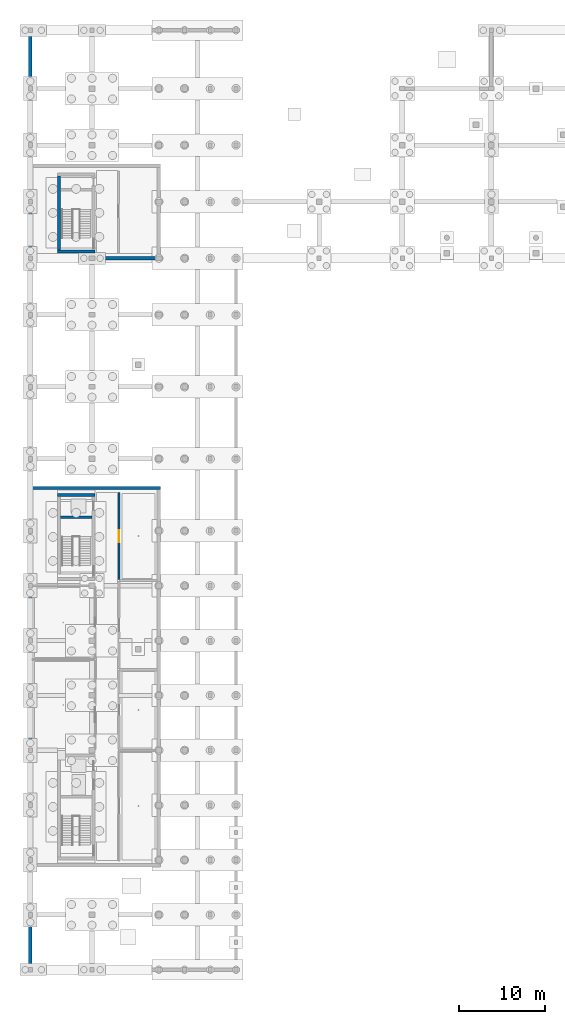
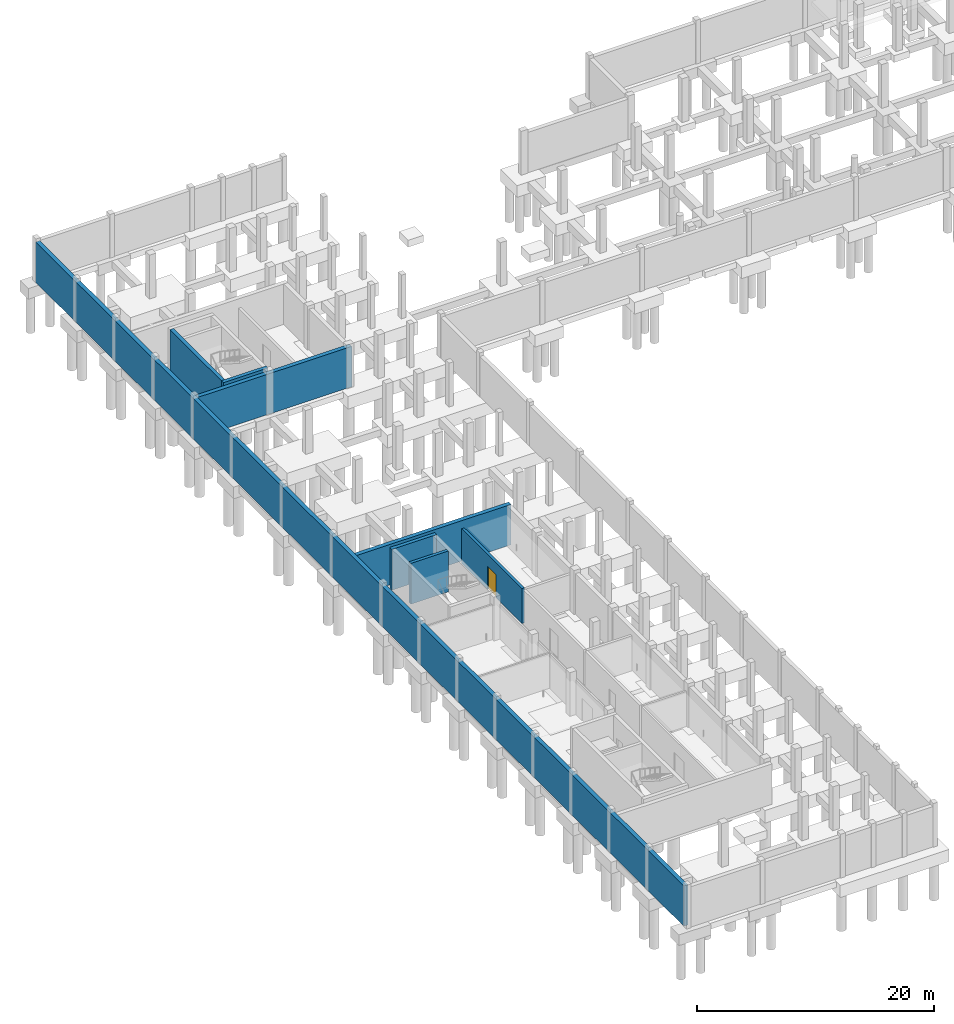
# One storey, part 13 of 21: 8 walls, 1 door, 1 opening.
"""IFC4 building model written with IfcOpenShell, lengths in metres."""

from ifc_helpers import new_model, si_unit, derived_unit, direction, frame, frame_2d, origin, origin_with_axes, place, context, subcontext, project, spatial, rectangle, extrude, material, layer, layer_set, type_object, element, fill, save


model = new_model("IFC4")

# Units and contexts
model_context = context("Model", 3, precision=1e-05, world=origin(), true_north=direction((0.0, 1.0)))
body_context = subcontext(model_context, "Body", "Model", "MODEL_VIEW")
ifc_project = project(units=[si_unit("LENGTHUNIT", "METRE"), si_unit("AREAUNIT", "SQUARE_METRE"), si_unit("VOLUMEUNIT", "CUBIC_METRE"), si_unit("PLANEANGLEUNIT", "RADIAN"), si_unit("MASSUNIT", "GRAM", prefix="KILO"), derived_unit("THERMALTRANSMITTANCEUNIT", [(si_unit("POWERUNIT", "WATT"), 1), (si_unit("LENGTHUNIT", "METRE"), -2), (si_unit("THERMODYNAMICTEMPERATUREUNIT", "KELVIN"), -1)])], contexts=[model_context])

# Site, building, storey
site_placement = place(None, origin())
site = spatial("IfcSite", under=ifc_project, at=site_placement, CompositionType="ELEMENT")
building_placement = place(site_placement, origin())
building = spatial("IfcBuilding", under=site, at=building_placement, Name="Braskholm Square Health Centre", CompositionType="ELEMENT")
storey_placement = place(building_placement, frame((0.0, 0.0, -4.5)))
storey = spatial("IfcBuildingStorey", under=building, at=storey_placement, Name="B01", CompositionType="ELEMENT", Elevation=-4.5)

# Walls
ifc_material_1 = material(Name="Concrete C35/45 (f'c = 35 MPa)", Category="concrete")
ifc_layer_1 = layer(ifc_material_1, 0.39990234375)
ifc_layer_set_1 = layer_set([ifc_layer_1], Name="Concrete C35/45 (f'c = 35 MPa)")
wall_type_1 = type_object("IfcWallType", Name="BasementRetainingWall400", PredefinedType="SHEAR", material=ifc_layer_set_1)
wall_1_placement = place(storey_placement, frame((4.199951171875, 113.60009765625, 0.0), z_axis=(0.0, 0.0, 1.0), x_axis=(0.0, -1.0, 0.0)))
element("IfcWall", 1, at=wall_1_placement, inside=storey, type_object=wall_type_1, Name="Substructure perimeter retaining wall BW-PERIM-W", PredefinedType="SHEAR", context=body_context, shape_type="SweptSolid", body=[
    extrude(rectangle(XDim=109.2001953125, YDim=0.39990234375, at=frame_2d((54.60009765625, 0.0))), origin(), (0.0, 0.0, 1.0), 4.14990234375),
])
for number, where, z_axis, x_axis, name in (
    (2, (19.39990234375, 60.39990234375, 0.0), (0.0, 0.0, 1.0), (-1.0, 0.0, 0.0), "Substructure perimeter retaining wall BW-B01W-N"),
    (3, (4.39990234375, 87.199951171875, 0.0), (0.0, 0.0, 1.0), (1.0, 0.0, 0.0), "Substructure perimeter retaining wall BW-B01NW-S"),
):
    element("IfcWall", number, at=place(storey_placement, frame(where, z_axis=z_axis, x_axis=x_axis)), inside=storey, type_object=wall_type_1, Name=name, PredefinedType="SHEAR", context=body_context, shape_type="SweptSolid", body=[
        extrude(rectangle(XDim=15.0, YDim=0.39990234375, at=frame_2d((7.5, 0.0))), origin(), (0.0, 0.0, 1.0), 4.14990234375),
    ])

# Wall, opening, door
ifc_layer_2 = layer(ifc_material_1, 0.25)
ifc_layer_set_2 = layer_set([ifc_layer_2], Name="Concrete C35/45 (f'c = 35 MPa)")
wall_type_2 = type_object("IfcWallType", Name="FireBarrierWall250", PredefinedType="SOLIDWALL", material=ifc_layer_set_2)
wall_2_placement = place(storey_placement, frame((14.550048828125, 49.719970703125, 0.0), z_axis=(0.0, 0.0, 1.0), x_axis=(0.0, 1.0, 0.0)))
wall_2 = element("IfcWall", 4, at=wall_2_placement, inside=storey, type_object=wall_type_2, Name="Interior partition PWALL-B01-0007", PredefinedType="SOLIDWALL", context=body_context, shape_type="SweptSolid", body=[
    extrude(rectangle(XDim=10.159912109375, YDim=0.25, at=frame_2d((5.080078125, 0.0))), origin(), (0.0, 0.0, 1.0), 3.594970703125),
])
opening_placement = place(wall_2_placement, frame((4.3798828125, 0.0, 0.0)))
opening = element("IfcOpeningElement", 5, at=opening_placement, cuts=wall_2, Name="Opening D-23", PredefinedType="OPENING", context=body_context, shape_type="SweptSolid", body=[
    extrude(rectangle(XDim=1.39990234375, YDim=2.35009765625, at=frame_2d((0.699951171875, 1.175048828125))), frame((0.0, 0.135009765625, 0.0), z_axis=(0.0, -1.0, 0.0), x_axis=(1.0, 0.0, 0.0)), (0.0, 0.0, 1.0), 0.27001953125),
])
ifc_material_2 = material(Name="Architectural bronze anodised aluminium", Category="aluminium")
door_type = type_object("IfcDoorType", Name="DoorPlantFire1400x2350", OperationType="DOUBLE_DOOR_SINGLE_SWING", PredefinedType="DOOR", material=ifc_material_2)
door_placement = place(opening_placement, origin_with_axes())
door = element("IfcDoor", 6, at=door_placement, inside=storey, type_object=door_type, Name="Interior door 0004 B01", OperationType="DOUBLE_DOOR_SINGLE_SWING", OverallHeight=2.35009765625, OverallWidth=1.39990234375, PredefinedType="DOOR", context=body_context, shape_type="SweptSolid", body=[
    extrude(rectangle(XDim=1.39990234375, YDim=2.35009765625, at=frame_2d((0.699951171875, 1.175048828125))), frame((0.0, 0.02490234375, 0.0), z_axis=(0.0, -1.0, 0.0), x_axis=(1.0, 0.0, 0.0)), (0.0, 0.0, 1.0), 0.050048828125),
])
fill(opening, door)

# Walls
ifc_material_3 = material(Name="Concrete C40/50 (f'c = 40 MPa)", Category="concrete")
ifc_layer_3 = layer(ifc_material_3, 0.300048828125)
ifc_layer_set_3 = layer_set([ifc_layer_3], Name="Concrete C40/50 (f'c = 40 MPa)")
wall_type_3 = type_object("IfcWallType", Name="ShearCoreWall300", PredefinedType="SHEAR", material=ifc_layer_set_3)
wall_3_placement = place(storey_placement, frame((7.72509765625, 57.0, 0.0), z_axis=(0.0, 0.0, 1.0), x_axis=(1.0, 0.0, 0.0)))
element("IfcWall", 7, at=wall_3_placement, inside=storey, type_object=wall_type_3, Name="Core K2 internal shear divider B01", PredefinedType="SHEAR", context=body_context, shape_type="SweptSolid", body=[
    extrude(rectangle(XDim=3.64990234375, YDim=0.300048828125, at=frame_2d((1.824951171875, 0.0))), origin(), (0.0, 0.0, 1.0), 4.199951171875),
])
ifc_layer_4 = layer(ifc_material_3, 0.35009765625)
ifc_layer_set_4 = layer_set([ifc_layer_4], Name="Concrete C40/50 (f'c = 40 MPa)")
wall_type_4 = type_object("IfcWallType", Name="ShearCoreWall350", PredefinedType="SHEAR", material=ifc_layer_set_4)
wall_4_placement = place(storey_placement, frame((11.72509765625, 59.60009765625, 0.0), z_axis=(0.0, 0.0, 1.0), x_axis=(-1.0, 0.0, 0.0)))
element("IfcWall", 8, at=wall_4_placement, inside=storey, type_object=wall_type_4, Name="CWALL-K2-B01 north wall", PredefinedType="SHEAR", context=body_context, shape_type="SweptSolid", body=[
    extrude(rectangle(XDim=4.35009765625, YDim=0.35009765625, at=frame_2d((2.175048828125, 0.0))), origin(), (0.0, 0.0, 1.0), 4.199951171875),
])
wall_5_placement = place(storey_placement, frame((7.375, 88.0, 0.0), z_axis=(0.0, 0.0, 1.0), x_axis=(1.0, 0.0, 0.0)))
element("IfcWall", 9, at=wall_5_placement, inside=storey, type_object=wall_type_4, Name="CWALL-K3-B01 south wall", PredefinedType="SHEAR", context=body_context, shape_type="SweptSolid", body=[
    extrude(rectangle(XDim=4.35009765625, YDim=0.35009765625, at=frame_2d((2.175048828125, 0.0))), origin(), (0.0, 0.0, 1.0), 4.1201171875),
])
wall_6_placement = place(storey_placement, frame((7.550048828125, 96.824951171875, 0.0), z_axis=(0.0, 0.0, 1.0), x_axis=(0.0, -1.0, 0.0)))
element("IfcWall", 10, at=wall_6_placement, inside=storey, type_object=wall_type_4, Name="CWALL-K3-B01 west wall", PredefinedType="SHEAR", context=body_context, shape_type="SweptSolid", body=[
    extrude(rectangle(XDim=8.64990234375, YDim=0.35009765625, at=frame_2d((4.324951171875, 0.0))), origin(), (0.0, 0.0, 1.0), 4.1201171875),
])

save(model, "model.ifc")
